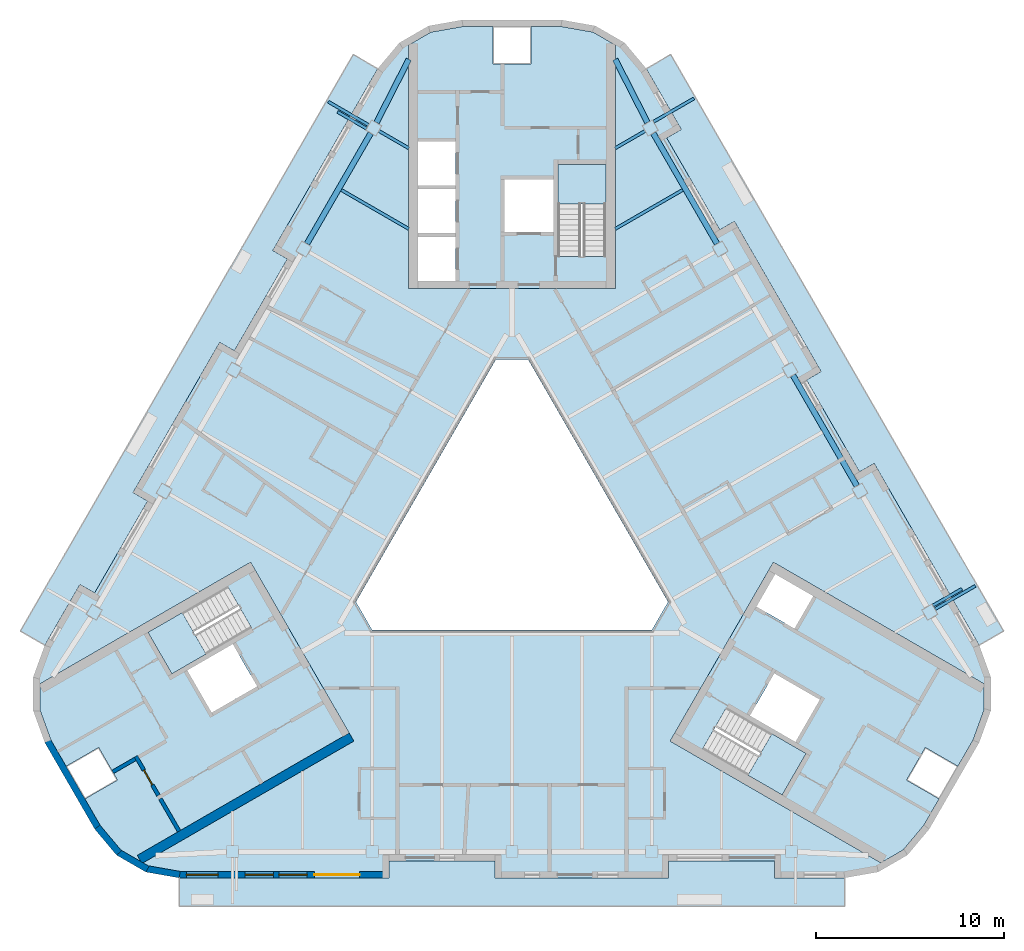
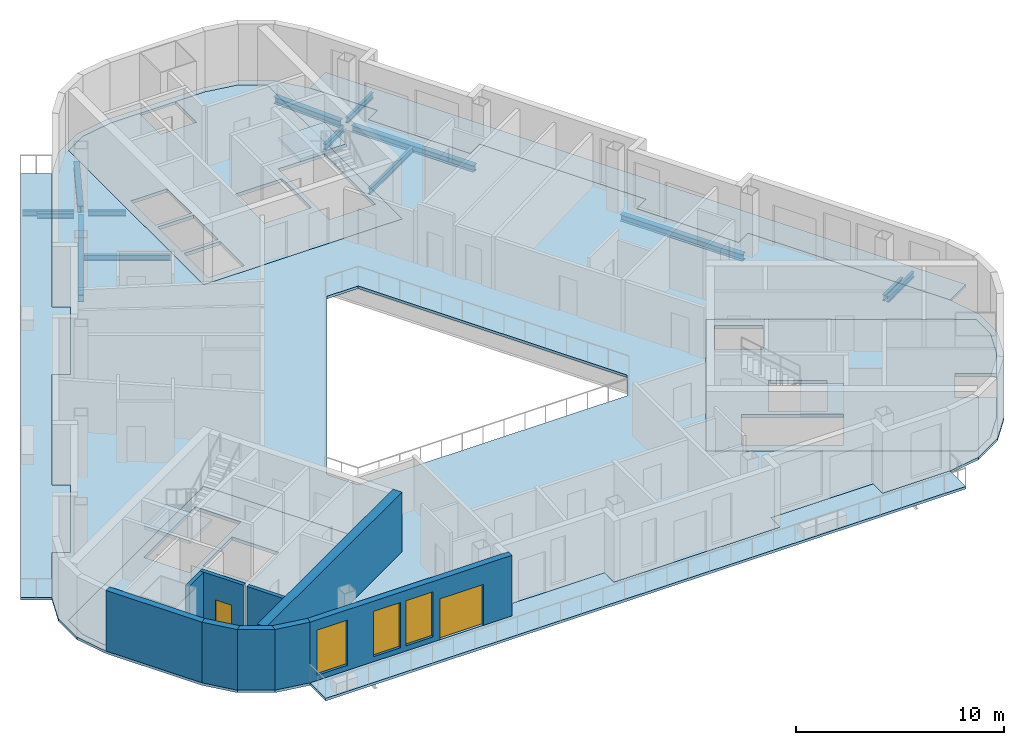
# One storey, part 2 of 13: 14 beams, 10 slabs, 9 walls, 3 windows, 2 doors, 5 openings, 3 elements without a shape of their own.
"""IFC4 building model written with IfcOpenShell, lengths in metres."""

from ifc_helpers import new_model, si_unit, direction, frame, frame_2d, origin, origin_2d, place, context, subcontext, project, spatial, polyline, rectangle, i_section, outline, extrude, material, layer, layer_set, material_profile, profile_set, type_object, element, fill, aggregate, save


model = new_model("IFC4")

# Units and contexts
model_context = context("Model", 3, precision=1e-05, world=origin(), true_north=direction((0.0, 1.0)))
body_context = subcontext(model_context, "Body", "Model", "MODEL_VIEW")
ifc_project = project(units=[si_unit("LENGTHUNIT", "METRE"), si_unit("AREAUNIT", "SQUARE_METRE"), si_unit("VOLUMEUNIT", "CUBIC_METRE"), si_unit("PLANEANGLEUNIT", "RADIAN"), si_unit("MASSUNIT", "GRAM", prefix="KILO")], contexts=[model_context])

# Site, building, storey
site_placement = place(None, origin())
site = spatial("IfcSite", under=ifc_project, at=site_placement, CompositionType="ELEMENT")
building_placement = place(site_placement, origin())
building = spatial("IfcBuilding", under=site, at=building_placement, Name="Apuvela Tower Hotel", CompositionType="ELEMENT")
storey_placement = place(building_placement, frame((0.0, 0.0, 272.60009765625)))
storey = spatial("IfcBuildingStorey", under=building, at=storey_placement, Name="L67", CompositionType="ELEMENT", Elevation=272.60009765625)

# Beams
ifc_material_1 = material(Name="Steel S355", Category="steel")
ifc_material_profile_1 = material_profile(ifc_material_1, i_section(OverallWidth=0.159912109375, OverallDepth=0.330078125, WebThickness=0.007568359375, FlangeThickness=0.011474609375, at=origin_2d()), Name="IPE 330")
ifc_profile_set_1 = profile_set([ifc_material_profile_1], Name="Steel S355")
beam_type_1 = type_object("IfcBeamType", Name="ENV-BALCONY-BEAM-IPE330", PredefinedType="BEAM", material=ifc_profile_set_1)
beam_1_placement = place(storey_placement, frame((22.530517578125, -4.18212890625, -0.315185546875), z_axis=(0.866006523861, 0.500032699561, 0.0), x_axis=(-0.500032699561, 0.866006523861, 0.0)))
element("IfcBeam", 1, at=beam_1_placement, inside=storey, type_object=beam_type_1, Name="Balcony cantilever beam NE1 L67", PredefinedType="BEAM", context=body_context, shape_type="SweptSolid", body=[
    extrude(i_section(OverallWidth=0.159912109375, OverallDepth=0.330078125, WebThickness=0.007568359375, FlangeThickness=0.011474609375, at=origin_2d()), origin(), (0.0, 0.0, 1.0), 2.474853515625),
])
beam_2_placement = place(storey_placement, frame((22.42041015625, -3.99169921875, -0.315185546875), z_axis=(0.866025242659, 0.500000279077, 0.0), x_axis=(-0.500000279077, 0.866025242659, 0.0)))
element("IfcBeam", 2, at=beam_2_placement, inside=storey, type_object=beam_type_1, Name="Balcony cantilever beam NE2 L67", PredefinedType="BEAM", context=body_context, shape_type="SweptSolid", body=[
    extrude(i_section(OverallWidth=0.159912109375, OverallDepth=0.330078125, WebThickness=0.007568359375, FlangeThickness=0.011474609375, at=origin_2d()), origin(), (0.0, 0.0, 1.0), 1.77490234375),
])
beam_3_placement = place(storey_placement, frame((7.543212890625, 21.776123046875, -0.315185546875), z_axis=(0.866031185235, 0.4999899861, 0.0), x_axis=(-0.4999899861, 0.866031185235, 0.0)))
element("IfcBeam", 3, at=beam_3_placement, inside=storey, type_object=beam_type_1, Name="Balcony cantilever beam NE3 L67", PredefinedType="BEAM", context=body_context, shape_type="SweptSolid", body=[
    extrude(i_section(OverallWidth=0.159912109375, OverallDepth=0.330078125, WebThickness=0.007568359375, FlangeThickness=0.011474609375, at=origin_2d()), origin(), (0.0, 0.0, 1.0), 2.47509765625),
])
beam_4_placement = place(storey_placement, frame((-7.643310546875, 21.60302734375, -0.315185546875), z_axis=(-0.866006523861, 0.500032699561, 0.0), x_axis=(-0.500032699561, -0.866006523861, 0.0)))
element("IfcBeam", 4, at=beam_4_placement, inside=storey, type_object=beam_type_1, Name="Balcony cantilever beam NW1 L67", PredefinedType="BEAM", context=body_context, shape_type="SweptSolid", body=[
    extrude(i_section(OverallWidth=0.159912109375, OverallDepth=0.330078125, WebThickness=0.007568359375, FlangeThickness=0.011474609375, at=origin_2d()), origin(), (0.0, 0.0, 1.0), 2.474853515625),
])
beam_5_placement = place(storey_placement, frame((-7.75341796875, 21.41259765625, -0.315185546875), z_axis=(-0.866025242659, 0.500000279077, 0.0), x_axis=(-0.500000279077, -0.866025242659, 0.0)))
element("IfcBeam", 5, at=beam_5_placement, inside=storey, type_object=beam_type_1, Name="Balcony cantilever beam NW2 L67", PredefinedType="BEAM", context=body_context, shape_type="SweptSolid", body=[
    extrude(i_section(OverallWidth=0.159912109375, OverallDepth=0.330078125, WebThickness=0.007568359375, FlangeThickness=0.011474609375, at=origin_2d()), origin(), (0.0, 0.0, 1.0), 1.77490234375),
])
ifc_material_profile_2 = material_profile(ifc_material_1, i_section(OverallWidth=0.159912109375, OverallDepth=0.330078125, WebThickness=0.007568359375, FlangeThickness=0.011474609375, at=origin_2d()), Name="IPE 330")
ifc_profile_set_2 = profile_set([ifc_material_profile_2], Name="Steel S355")
beam_type_2 = type_object("IfcBeamType", Name="STR-B floor beam IPE 330", PredefinedType="BEAM", material=ifc_profile_set_2)
beam_6_placement = place(storey_placement, frame((9.0927734375, 18.142333984375, -0.315185546875), z_axis=(-0.866032706045, -0.4999873519, 0.0), x_axis=(0.4999873519, -0.866032706045, 0.0)))
element("IfcBeam", 6, at=beam_6_placement, inside=storey, type_object=beam_type_2, Name="Floor beam B1 NE8", PredefinedType="BEAM", context=body_context, shape_type="SweptSolid", body=[
    extrude(i_section(OverallWidth=0.159912109375, OverallDepth=0.330078125, WebThickness=0.007568359375, FlangeThickness=0.011474609375, at=origin_2d()), origin(), (0.0, 0.0, 1.0), 4.1484375),
])
for number, where, z_axis, x_axis, name in (
    (7, (7.080322265625, 21.278076171875, -0.315185546875), (-0.865978377894, -0.500081442387, 0.0), (0.500081442387, -0.865978377894, 0.0), "Floor beam B1 NE9"),
    (8, (-7.080322265625, 21.278076171875, -0.315185546875), (0.865978377894, -0.500081442387, 0.0), (0.500081442387, 0.865978377894, 0.0), "Floor beam B1 NW1"),
):
    element("IfcBeam", number, at=place(storey_placement, frame(where, z_axis=z_axis, x_axis=x_axis)), inside=storey, type_object=beam_type_2, Name=name, PredefinedType="BEAM", context=body_context, shape_type="SweptSolid", body=[
        extrude(i_section(OverallWidth=0.159912109375, OverallDepth=0.330078125, WebThickness=0.007568359375, FlangeThickness=0.011474609375, at=origin_2d()), origin(), (0.0, 0.0, 1.0), 1.824951171875),
    ])
beam_7_placement = place(storey_placement, frame((-9.0927734375, 18.142333984375, -0.315185546875), z_axis=(0.866032706045, -0.4999873519, 0.0), x_axis=(0.4999873519, 0.866032706045, 0.0)))
element("IfcBeam", 9, at=beam_7_placement, inside=storey, type_object=beam_type_2, Name="Floor beam B1 NW2", PredefinedType="BEAM", context=body_context, shape_type="SweptSolid", body=[
    extrude(i_section(OverallWidth=0.159912109375, OverallDepth=0.330078125, WebThickness=0.007568359375, FlangeThickness=0.011474609375, at=origin_2d()), origin(), (0.0, 0.0, 1.0), 4.1484375),
])
ifc_material_profile_3 = material_profile(ifc_material_1, i_section(OverallWidth=0.300048828125, OverallDepth=0.389892578125, WebThickness=0.010986328125, FlangeThickness=0.01904296875, at=origin_2d()), Name="HE 400 A")
ifc_profile_set_3 = profile_set([ifc_material_profile_3], Name="Steel S355")
beam_type_3 = type_object("IfcBeamType", Name="STR-SB spandrel beam HE 400 A", PredefinedType="SPANDREL", material=ifc_profile_set_3)
for number, where, z_axis, x_axis, name in (
    (10, (18.36474609375, 2.383056640625, -0.34521484375), (-0.499984795077, 0.866034182173, 0.0), (-0.866034182173, -0.499984795077, 0.0), "Spandrel beam SB4 NE2"),
    (11, (10.921142578125, 15.275634765625, -0.34521484375), (-0.499984795077, 0.866034182173, 0.0), (-0.866034182173, -0.499984795077, 0.0), "Spandrel beam SB4 NE4"),
    (12, (-7.5244140625, 21.1591796875, -0.34521484375), (-0.499984795077, -0.866034182173, 0.0), (0.866034182173, -0.499984795077, 0.0), "Spandrel beam SB4 NW1"),
):
    element("IfcBeam", number, at=place(storey_placement, frame(where, z_axis=z_axis, x_axis=x_axis)), inside=storey, type_object=beam_type_3, Name=name, PredefinedType="SPANDREL", context=body_context, shape_type="SweptSolid", body=[
        extrude(i_section(OverallWidth=0.300048828125, OverallDepth=0.389892578125, WebThickness=0.010986328125, FlangeThickness=0.01904296875, at=origin_2d()), origin(), (0.0, 0.0, 1.0), 6.793701171875),
    ])
for number, where, z_axis, x_axis, name in (
    (13, (7.214111328125, 21.73046875, -0.34521484375), (-0.454212617882, 0.890893314464, 0.0), (-0.890893314464, -0.454212617882, 0.0), "Spandrel beam SB4 NE5-N"),
    (14, (-7.214111328125, 21.73046875, -0.34521484375), (0.454212617882, 0.890893314464, 0.0), (-0.890893314464, 0.454212617882, 0.0), "Spandrel beam SB4 NW1-N"),
):
    element("IfcBeam", number, at=place(storey_placement, frame(where, z_axis=z_axis, x_axis=x_axis)), inside=storey, type_object=beam_type_3, Name=name, PredefinedType="SPANDREL", context=body_context, shape_type="SweptSolid", body=[
        extrude(i_section(OverallWidth=0.300048828125, OverallDepth=0.389892578125, WebThickness=0.010986328125, FlangeThickness=0.01904296875, at=origin_2d()), origin(), (0.0, 0.0, 1.0), 3.77392578125),
    ])

# Slabs
ifc_material_2 = material(Name="Concrete C50/60", Category="concrete")
ifc_layer_1 = layer(ifc_material_2, 0.199951171875)
ifc_layer_set_1 = layer_set([ifc_layer_1], Name="COR-FLOOR-200")
slab_type_1 = type_object("IfcSlabType", Name="COR-FLOOR-200", PredefinedType="FLOOR", material=ifc_layer_set_1)
slab_1_placement = place(storey_placement, frame((0.0, 0.0, -0.2001953125)))
element("IfcSlab", 15, at=slab_1_placement, inside=storey, type_object=slab_type_1, Name="Core floor N", PredefinedType="FLOOR", context=body_context, shape_type="SweptSolid", body=[
    extrude(outline(polyline([(5.5, 25.86279296875), (4.31640625, 26.5458984375), (2.635009765625, 26.842529296875), (1.0, 26.842529296875), (1.0, 24.842529296875), (-1.0, 24.842529296875), (-1.0, 26.842529296875), (-2.635009765625, 26.842529296875), (-4.31640625, 26.5458984375), (-5.5, 25.86279296875), (-5.5, 12.89990234375), (5.5, 12.89990234375), (5.5, 25.86279296875)]), holes=[polyline([(-3.0, 13.300048828125), (-5.0, 13.300048828125), (-5.0, 15.639892578125), (-3.0, 15.639892578125), (-3.0, 13.300048828125)]), polyline([(-3.0, 15.840087890625), (-5.0, 15.840087890625), (-5.0, 18.179931640625), (-3.0, 18.179931640625), (-3.0, 15.840087890625)]), polyline([(5.0, 14.60595703125), (2.449951171875, 14.60595703125), (2.449951171875, 19.5), (5.0, 19.5), (5.0, 14.60595703125)]), polyline([(2.199951171875, 18.699951171875), (2.199951171875, 15.89990234375), (-0.39990234375, 15.89990234375), (-0.39990234375, 18.699951171875), (2.199951171875, 18.699951171875)]), polyline([(-3.0, 20.719970703125), (-3.0, 18.3798828125), (-5.0, 18.3798828125), (-5.0, 20.719970703125), (-3.0, 20.719970703125)])]), origin(), (0.0, 0.0, 1.0), 0.2001953125),
])
slab_2_placement = place(storey_placement, frame((0.0, 0.0, -0.2001953125)))
element("IfcSlab", 16, at=slab_2_placement, inside=storey, type_object=slab_type_1, Name="Core floor SW", PredefinedType="FLOOR", context=body_context, shape_type="SweptSolid", body=[
    extrude(outline(polyline([(-25.147705078125, -8.168212890625), (-25.147705078125, -9.534912109375), (-24.563720703125, -11.139404296875), (-23.746337890625, -12.55517578125), (-22.014404296875, -11.55517578125), (-21.014404296875, -13.287353515625), (-22.746337890625, -14.287353515625), (-21.9287109375, -15.703125), (-20.831298828125, -17.01123046875), (-19.647705078125, -17.694580078125), (-8.421630859375, -11.213134765625), (-13.921630859375, -1.68701171875), (-25.147705078125, -8.168212890625)]), holes=[polyline([(-13.874267578125, -5.18115234375), (-18.112548828125, -7.628173828125), (-19.387451171875, -5.419921875), (-15.149169921875, -2.972900390625), (-13.874267578125, -5.18115234375)]), polyline([(-13.56982421875, -8.29638671875), (-15.99462890625, -9.6962890625), (-17.294677734375, -7.444580078125), (-14.869873046875, -6.044677734375), (-13.56982421875, -8.29638671875)])]), origin(), (0.0, 0.0, 1.0), 0.2001953125),
])
slab_3_placement = place(storey_placement, frame((0.0, 0.0, -0.2001953125)))
element("IfcSlab", 17, at=slab_3_placement, inside=storey, type_object=slab_type_1, Name="Core floor SE", PredefinedType="FLOOR", context=body_context, shape_type="SweptSolid", body=[
    extrude(outline(polyline([(19.647705078125, -17.694580078125), (20.831298828125, -17.01123046875), (21.9287109375, -15.703125), (22.746337890625, -14.287353515625), (21.014404296875, -13.287353515625), (22.014404296875, -11.55517578125), (23.746337890625, -12.55517578125), (24.563720703125, -11.139404296875), (25.147705078125, -9.534912109375), (25.147705078125, -8.168212890625), (13.921630859375, -1.68701171875), (8.421630859375, -11.213134765625), (19.647705078125, -17.694580078125)]), holes=[polyline([(14.01806640625, -2.31982421875), (16.044677734375, -3.489990234375), (15.044677734375, -5.221923828125), (13.01806640625, -4.052001953125), (14.01806640625, -2.31982421875)]), polyline([(10.149169921875, -11.633056640625), (11.42431640625, -9.4248046875), (15.66259765625, -11.871826171875), (14.387451171875, -14.080078125), (10.149169921875, -11.633056640625)]), polyline([(12.669921875, -9.855224609375), (13.9697265625, -7.603515625), (16.394775390625, -9.003662109375), (15.0947265625, -11.25537109375), (12.669921875, -9.855224609375)])]), origin(), (0.0, 0.0, 1.0), 0.2001953125),
])

# Stair, slab
stair_type = type_object("IfcStairType", Name="COR-STAIR-22R", PredefinedType="HALF_TURN_STAIR", material=ifc_material_2)
stair_1_placement = place(storey_placement, origin())
stair_1 = element("IfcStair", 18, at=stair_1_placement, inside=storey, type_object=stair_type, Name="L67 Exit stair ST1", PredefinedType="HALF_TURN_STAIR")
ifc_layer_2 = layer(ifc_material_2, 0.199951171875)
ifc_layer_set_2 = layer_set([ifc_layer_2], Name="COR-LANDING-200")
slab_type_2 = type_object("IfcSlabType", Name="COR-LANDING-200", PredefinedType="LANDING", material=ifc_layer_set_2)
slab_4_placement = place(storey_placement, frame((0.0, 0.0, 1.64990234375)))
slab_4 = element("IfcSlab", 19, at=slab_4_placement, type_object=slab_type_2, Name="ST1 landing 1", PredefinedType="LANDING", context=body_context, shape_type="SweptSolid", body=[
    extrude(outline(polyline([(5.0, 17.39404296875), (5.0, 19.5), (2.449951171875, 19.5), (2.449951171875, 17.39404296875), (5.0, 17.39404296875)])), origin(), (0.0, 0.0, 1.0), 0.199951171875),
])
aggregate(stair_1, [slab_4])

stair_2_placement = place(storey_placement, origin())
stair_2 = element("IfcStair", 20, at=stair_2_placement, inside=storey, type_object=stair_type, Name="L67 Exit stair ST2", PredefinedType="HALF_TURN_STAIR")
slab_5_placement = place(storey_placement, frame((0.0, 0.0, 1.64990234375)))
slab_5 = element("IfcSlab", 21, at=slab_5_placement, type_object=slab_type_2, Name="ST2 landing 1", PredefinedType="LANDING", context=body_context, shape_type="SweptSolid", body=[
    extrude(outline(polyline([(-17.563720703125, -4.366943359375), (-19.387451171875, -5.419921875), (-18.112548828125, -7.628173828125), (-16.28857421875, -6.5751953125), (-17.563720703125, -4.366943359375)])), origin(), (0.0, 0.0, 1.0), 0.199951171875),
])
aggregate(stair_2, [slab_5])

stair_3_placement = place(storey_placement, origin())
stair_3 = element("IfcStair", 22, at=stair_3_placement, inside=storey, type_object=stair_type, Name="L67 Exit stair ST3", PredefinedType="HALF_TURN_STAIR")
slab_6_placement = place(storey_placement, frame((0.0, 0.0, 1.64990234375)))
slab_6 = element("IfcSlab", 23, at=slab_6_placement, type_object=slab_type_2, Name="ST3 landing 1", PredefinedType="LANDING", context=body_context, shape_type="SweptSolid", body=[
    extrude(outline(polyline([(12.563720703125, -13.027099609375), (14.387451171875, -14.080078125), (15.66259765625, -11.871826171875), (13.838623046875, -10.81884765625), (12.563720703125, -13.027099609375)])), origin(), (0.0, 0.0, 1.0), 0.199951171875),
])
aggregate(stair_3, [slab_6])

# Slabs
ifc_material_3 = material(Name="Concrete C40/50, fair-faced", Category="concrete")
ifc_layer_3 = layer(ifc_material_3, 0.14990234375)
ifc_layer_set_3 = layer_set([ifc_layer_3], Name="ENV-BALCONY-150")
slab_type_3 = type_object("IfcSlabType", Name="ENV-BALCONY-150", PredefinedType="FLOOR", material=ifc_layer_set_3)
slab_7_placement = place(storey_placement, frame((0.0, 0.0, -0.150146484375)))
element("IfcSlab", 24, at=slab_7_placement, inside=storey, type_object=slab_type_3, Name="Balcony slab S L67", PredefinedType="FLOOR", context=body_context, shape_type="SweptSolid", body=[
    extrude(outline(polyline([(17.733642578125, -20.000732421875), (-17.733642578125, -20.000732421875), (-17.733642578125, -18.49072265625), (-6.548583984375, -18.49072265625), (-6.548583984375, -17.5908203125), (-0.89501953125, -17.5908203125), (-0.89501953125, -18.49072265625), (8.338623046875, -18.49072265625), (8.338623046875, -17.5908203125), (13.9921875, -17.5908203125), (13.9921875, -18.49072265625), (17.733642578125, -18.49072265625), (17.733642578125, -20.000732421875)])), origin(), (0.0, 0.0, 1.0), 0.150146484375),
])
slab_8_placement = place(storey_placement, frame((0.0, 0.0, -0.150146484375)))
element("IfcSlab", 25, at=slab_8_placement, inside=storey, type_object=slab_type_3, Name="Balcony slab NE L67", PredefinedType="FLOOR", context=body_context, shape_type="SweptSolid", body=[
    extrude(outline(polyline([(16.4609375, 8.47021484375), (11.84423828125, 16.466796875), (11.064697265625, 16.016845703125), (8.238037109375, 20.912841796875), (9.017578125, 21.36279296875), (7.146728515625, 24.603271484375), (8.454345703125, 25.358154296875), (26.18798828125, -5.357421875), (24.88037109375, -6.1123046875), (19.287841796875, 3.57421875), (18.50830078125, 3.124267578125), (15.681640625, 8.020263671875), (16.4609375, 8.47021484375)])), origin(), (0.0, 0.0, 1.0), 0.150146484375),
])
slab_9_placement = place(storey_placement, frame((0.0, 0.0, -0.150146484375)))
element("IfcSlab", 26, at=slab_9_placement, inside=storey, type_object=slab_type_3, Name="Balcony slab NW L67", PredefinedType="FLOOR", context=body_context, shape_type="SweptSolid", body=[
    extrude(outline(polyline([(-26.18798828125, -5.357421875), (-8.454345703125, 25.3583984375), (-7.146728515625, 24.603271484375), (-12.7392578125, 14.91650390625), (-11.959716796875, 14.466552734375), (-14.78662109375, 9.570556640625), (-15.56591796875, 10.0205078125), (-20.182861328125, 2.02392578125), (-19.4033203125, 1.573974609375), (-22.22998046875, -3.322021484375), (-23.009521484375, -2.8720703125), (-24.88037109375, -6.1123046875), (-26.18798828125, -5.357421875)])), origin(), (0.0, 0.0, 1.0), 0.150146484375),
])
ifc_material_4 = material(Name="Concrete C35/45", Category="concrete")
ifc_layer_4 = layer(ifc_material_4, 0.14990234375)
ifc_layer_set_4 = layer_set([ifc_layer_4], Name="STR-SLAB 150 floor Concrete C35/45")
slab_type_4 = type_object("IfcSlabType", Name="STR-SLAB 150 floor Concrete C35/45", PredefinedType="FLOOR", material=ifc_layer_set_4)
slab_10_placement = place(storey_placement, frame((0.0, 0.0, -0.150146484375)))
element("IfcSlab", 27, at=slab_10_placement, inside=storey, type_object=slab_type_4, Name="Floor slab S4 L67", PredefinedType="FLOOR", context=body_context, shape_type="SweptSolid", body=[
    extrude(outline(polyline([(-5.99658203125, 25.97998046875), (-4.43798828125, 26.8798828125), (-2.66552734375, 27.1923828125), (2.66552734375, 27.1923828125), (4.43798828125, 26.8798828125), (5.99658203125, 25.97998046875), (7.153564453125, 24.601318359375), (9.0244140625, 21.361083984375), (8.244873046875, 20.9111328125), (11.066650390625, 16.023681640625), (11.84619140625, 16.4736328125), (16.468017578125, 8.468505859375), (15.6884765625, 8.0185546875), (18.51025390625, 3.131103515625), (19.28955078125, 3.5810546875), (24.882080078125, -6.105712890625), (25.497802734375, -7.796875), (25.497802734375, -9.5966796875), (24.882080078125, -11.287841796875), (22.216552734375, -15.90478515625), (21.059814453125, -17.283447265625), (19.501220703125, -18.183349609375), (17.728759765625, -18.495849609375), (13.987060546875, -18.495849609375), (13.987060546875, -17.595703125), (8.343505859375, -17.595703125), (8.343505859375, -18.495849609375), (-0.89990234375, -18.495849609375), (-0.89990234375, -17.595703125), (-6.54345703125, -17.595703125), (-6.54345703125, -18.495849609375), (-17.728759765625, -18.495849609375), (-19.501220703125, -18.183349609375), (-21.059814453125, -17.283447265625), (-22.216552734375, -15.90478515625), (-24.882080078125, -11.287841796875), (-25.497802734375, -9.5966796875), (-25.497802734375, -7.796875), (-24.882080078125, -6.105712890625), (-23.011474609375, -2.865234375), (-22.23193359375, -3.315185546875), (-19.41015625, 1.572021484375), (-20.189697265625, 2.022216796875), (-15.56787109375, 10.02734375), (-14.788330078125, 9.577392578125), (-11.966796875, 14.46484375), (-12.74609375, 14.914794921875), (-7.153564453125, 24.601318359375), (-5.99658203125, 25.97998046875)]), holes=[polyline([(0.865966796875, 9.10009765625), (-0.865966796875, 9.10009765625), (-8.313720703125, -3.800048828125), (-7.44775390625, -5.300048828125), (7.44775390625, -5.300048828125), (8.313720703125, -3.800048828125), (0.865966796875, 9.10009765625)]), polyline([(-5.5, 12.89990234375), (-5.5, 25.86279296875), (-4.31640625, 26.5458984375), (-2.635009765625, 26.842529296875), (2.635009765625, 26.842529296875), (4.31640625, 26.5458984375), (5.5, 25.86279296875), (5.5, 12.89990234375), (-5.5, 12.89990234375)]), polyline([(-8.421630859375, -11.213134765625), (-19.647705078125, -17.694580078125), (-20.831298828125, -17.01123046875), (-21.9287109375, -15.703125), (-24.563720703125, -11.139404296875), (-25.147705078125, -9.534912109375), (-25.147705078125, -8.168212890625), (-13.921630859375, -1.68701171875), (-8.421630859375, -11.213134765625)]), polyline([(13.921630859375, -1.68701171875), (25.147705078125, -8.168212890625), (25.147705078125, -9.534912109375), (24.563720703125, -11.139404296875), (21.9287109375, -15.703125), (20.831298828125, -17.01123046875), (19.647705078125, -17.694580078125), (8.421630859375, -11.213134765625), (13.921630859375, -1.68701171875)])]), origin(), (0.0, 0.0, 1.0), 0.150146484375),
])

# Wall
ifc_layer_5 = layer(ifc_material_2, 0.5)
ifc_layer_set_5 = layer_set([ifc_layer_5], Name="COR-WALL-CORE-500")
wall_type_1 = type_object("IfcWallType", Name="COR-WALL-CORE-500", PredefinedType="SHEAR", material=ifc_layer_set_5)
wall_1_placement = place(storey_placement, frame((-8.546630859375, -10.99658203125, 0.0), z_axis=(0.0, 0.0, 1.0), x_axis=(-0.866030218785, -0.499991660082, 0.0)))
element("IfcWall", 28, at=wall_1_placement, inside=storey, type_object=wall_type_1, Name="Core wall SW", PredefinedType="SHEAR", context=body_context, shape_type="SweptSolid", body=[
    extrude(rectangle(XDim=13.031494140625, YDim=0.5, at=frame_2d((6.515625, 0.0))), origin(), (0.0, 0.0, 1.0), 3.5),
])

# Wall, opening, door
ifc_layer_6 = layer(ifc_material_2, 0.199951171875)
ifc_layer_set_6 = layer_set([ifc_layer_6], Name="COR-WALL-SHAFT-200")
wall_type_2 = type_object("IfcWallType", Name="COR-WALL-SHAFT-200", PredefinedType="SHEAR", material=ifc_layer_set_6)
wall_2_placement = place(storey_placement, frame((-20.030517578125, -12.0263671875, 0.0), z_axis=(0.0, 0.0, 1.0), x_axis=(0.500033551112, -0.866006032174, 0.0)))
wall_2 = element("IfcWall", 29, at=wall_2_placement, inside=storey, type_object=wall_type_2, Name="Shaft wall SW", PredefinedType="SHEAR", context=body_context, shape_type="SweptSolid", body=[
    extrude(rectangle(XDim=2.400146484375, YDim=0.199951171875, at=frame_2d((1.2001953125, 0.0))), origin(), (0.0, 0.0, 1.0), 3.5),
])
opening_1_placement = place(wall_2_placement, frame((0.85009765625, 0.0, 0.0)))
opening_1 = element("IfcOpeningElement", 30, at=opening_1_placement, cuts=wall_2, Name="Opening W-REP", PredefinedType="OPENING", context=body_context, shape_type="SweptSolid", body=[
    extrude(rectangle(XDim=0.89990234375, YDim=2.10009765625, at=frame_2d((0.449951171875, 1.050048828125))), frame((0.0, 0.10986328125, 0.0), z_axis=(0.0, -1.0, 0.0), x_axis=(1.0, 0.0, 0.0)), (0.0, 0.0, 1.0), 0.219970703125),
])
ifc_material_5 = material(Name="Steel fire door, powder coated", Category="steel")
door_type_1 = type_object("IfcDoorType", Name="COR-DR-900", OperationType="NOTDEFINED", PredefinedType="DOOR", material=ifc_material_5)
door_1_placement = place(opening_1_placement, frame((0.89990234375, 0.0, 0.0), z_axis=(0.0, 0.0, 1.0), x_axis=(-1.0, 0.0, 0.0)))
door_1 = element("IfcDoor", 31, at=door_1_placement, inside=storey, type_object=door_type_1, Name="Store door W-REP", OperationType="SINGLE_SWING_LEFT", OverallHeight=2.10009765625, OverallWidth=0.89990234375, PredefinedType="DOOR", context=body_context, shape_type="SweptSolid", body=[
    extrude(rectangle(XDim=0.89990234375, YDim=2.10009765625, at=frame_2d((0.449951171875, 1.050048828125))), frame((0.0, 0.02490234375, 0.0), z_axis=(0.0, -1.0, 0.0), x_axis=(1.0, 0.0, 0.0)), (0.0, 0.0, 1.0), 0.050048828125),
])
fill(opening_1, door_1)

# Walls
wall_3_placement = place(storey_placement, frame((-18.73046875, -14.278076171875, 0.0), z_axis=(0.0, 0.0, 1.0), x_axis=(0.50002537861, -0.866010750942, 0.0)))
element("IfcWall", 32, at=wall_3_placement, inside=storey, type_object=wall_type_2, Name="Shaft wall SW", PredefinedType="SHEAR", context=body_context, shape_type="SweptSolid", body=[
    extrude(rectangle(XDim=2.0, YDim=0.199951171875, at=frame_2d((1.0, 0.0))), origin(), (0.0, 0.0, 1.0), 3.5),
])
wall_4_placement = place(storey_placement, frame((-20.06689453125, -12.1630859375, 0.0), z_axis=(0.0, 0.0, 1.0), x_axis=(-0.866094443108, -0.499880401313, 0.0)))
element("IfcWall", 33, at=wall_4_placement, inside=storey, type_object=wall_type_2, Name="Shaft wall SW", PredefinedType="SHEAR", context=body_context, shape_type="SweptSolid", body=[
    extrude(rectangle(XDim=1.382568359375, YDim=0.199951171875, at=frame_2d((0.69140625, 0.0))), origin(), (0.0, 0.0, 1.0), 3.5),
])
ifc_material_6 = material(Name="Concrete C40/50, dark pigmented precast panel", Category="concrete")
ifc_layer_7 = layer(ifc_material_6, 0.35009765625)
ifc_layer_set_7 = layer_set([ifc_layer_7], Name="ENV-WALL-350")
wall_type_3 = type_object("IfcWallType", Name="ENV-WALL-350", PredefinedType="SOLIDWALL", material=ifc_layer_set_7)
wall_5_placement = place(storey_placement, frame((-24.730712890625, -11.2001953125, 0.0), z_axis=(0.0, 0.0, 1.0), x_axis=(0.500025039717, -0.866010946615, 0.0)))
element("IfcWall", 34, at=wall_5_placement, inside=storey, type_object=wall_type_3, Name="External wall L67-13", PredefinedType="SOLIDWALL", context=body_context, shape_type="SweptSolid", body=[
    extrude(rectangle(XDim=5.331298828125, YDim=0.35009765625, at=frame_2d((2.66552734375, 0.0))), origin(), (0.0, 0.0, 1.0), 3.5498046875),
])
wall_6_placement = place(storey_placement, frame((-22.08251953125, -15.792236328125, 0.0), z_axis=(0.0, 0.0, 1.0), x_axis=(0.642756114672, -0.766070869471, 0.0)))
element("IfcWall", 35, at=wall_6_placement, inside=storey, type_object=wall_type_3, Name="External wall L67-14", PredefinedType="SOLIDWALL", context=body_context, shape_type="SweptSolid", body=[
    extrude(rectangle(XDim=1.799560546875, YDim=0.35009765625, at=frame_2d((0.89990234375, 0.0))), origin(), (0.0, 0.0, 1.0), 3.5498046875),
])
wall_7_placement = place(storey_placement, frame((-20.972412109375, -17.1318359375, 0.0), z_axis=(0.0, 0.0, 1.0), x_axis=(0.866047807691, -0.499961193289, 0.0)))
element("IfcWall", 36, at=wall_7_placement, inside=storey, type_object=wall_type_3, Name="External wall L67-15", PredefinedType="SOLIDWALL", context=body_context, shape_type="SweptSolid", body=[
    extrude(rectangle(XDim=1.800048828125, YDim=0.35009765625, at=frame_2d((0.89990234375, 0.0))), origin(), (0.0, 0.0, 1.0), 3.5498046875),
])
wall_8_placement = place(storey_placement, frame((-19.470703125, -18.010986328125, 0.0), z_axis=(0.0, 0.0, 1.0), x_axis=(0.984810858511, -0.173630564586, 0.0)))
element("IfcWall", 37, at=wall_8_placement, inside=storey, type_object=wall_type_3, Name="External wall L67-16", PredefinedType="SOLIDWALL", context=body_context, shape_type="SweptSolid", body=[
    extrude(rectangle(XDim=1.7998046875, YDim=0.35009765625, at=frame_2d((0.89990234375, 0.0))), origin(), (0.0, 0.0, 1.0), 3.5498046875),
])

# Wall, openings, door, windows
wall_9_placement = place(storey_placement, frame((-17.728759765625, -18.32080078125, 0.0), z_axis=(0.0, 0.0, 1.0), x_axis=(1.0, 0.0, 0.0)))
wall_9 = element("IfcWall", 38, at=wall_9_placement, inside=storey, type_object=wall_type_3, Name="External wall L67-17", PredefinedType="SOLIDWALL", context=body_context, shape_type="SweptSolid", body=[
    extrude(rectangle(XDim=11.185302734375, YDim=0.35009765625, at=frame_2d((5.5927734375, 0.0))), origin(), (0.0, 0.0, 1.0), 3.5498046875),
])
opening_2_placement = place(wall_9_placement, frame((0.380615234375, 0.0, 0.300048828125)))
opening_2 = element("IfcOpeningElement", 39, at=opening_2_placement, cuts=wall_9, Name="Opening WN17", PredefinedType="OPENING", context=body_context, shape_type="SweptSolid", body=[
    extrude(rectangle(XDim=1.699951171875, YDim=2.64990234375, at=frame_2d((0.85009765625, 1.324951171875))), frame((0.0, 0.18505859375, 0.0), z_axis=(0.0, -1.0, 0.0), x_axis=(1.0, 0.0, 0.0)), (0.0, 0.0, 1.0), 0.3701171875),
])
opening_3_placement = place(wall_9_placement, frame((7.210205078125, 0.0, 0.0)))
opening_3 = element("IfcOpeningElement", 40, at=opening_3_placement, cuts=wall_9, Name="Opening BD24", PredefinedType="OPENING", context=body_context, shape_type="SweptSolid", body=[
    extrude(rectangle(XDim=2.39990234375, YDim=2.39990234375, at=frame_2d((1.199951171875, 1.199951171875))), frame((0.0, 0.18505859375, 0.0), z_axis=(0.0, -1.0, 0.0), x_axis=(1.0, 0.0, 0.0)), (0.0, 0.0, 1.0), 0.3701171875),
])
opening_4_placement = place(wall_9_placement, frame((3.51611328125, 0.0, 0.300048828125)))
opening_4 = element("IfcOpeningElement", 41, at=opening_4_placement, cuts=wall_9, Name="Opening WN15", PredefinedType="OPENING", context=body_context, shape_type="SweptSolid", body=[
    extrude(rectangle(XDim=1.5, YDim=2.64990234375, at=frame_2d((0.75, 1.324951171875))), frame((0.0, 0.18505859375, 0.0), z_axis=(0.0, -1.0, 0.0), x_axis=(1.0, 0.0, 0.0)), (0.0, 0.0, 1.0), 0.3701171875),
])
opening_5_placement = place(wall_9_placement, frame((5.316162109375, 0.0, 0.300048828125)))
opening_5 = element("IfcOpeningElement", 42, at=opening_5_placement, cuts=wall_9, Name="Opening WN15", PredefinedType="OPENING", context=body_context, shape_type="SweptSolid", body=[
    extrude(rectangle(XDim=1.5, YDim=2.64990234375, at=frame_2d((0.75, 1.324951171875))), frame((0.0, 0.18505859375, 0.0), z_axis=(0.0, -1.0, 0.0), x_axis=(1.0, 0.0, 0.0)), (0.0, 0.0, 1.0), 0.3701171875),
])
ifc_material_7 = material(Name="Aluminium 6063-T6, dark bronze anodised frame with dark tinted laminated glass", Category="aluminium")
door_type_2 = type_object("IfcDoorType", Name="ENV-DOOR-BALCONY-2400x2400", OperationType="SLIDING_TO_LEFT", PredefinedType="DOOR", material=ifc_material_7)
door_2_placement = place(opening_3_placement, frame((2.39990234375, 0.0, 0.0), z_axis=(0.0, 0.0, 1.0), x_axis=(-1.0, 0.0, 0.0)))
door_2 = element("IfcDoor", 43, at=door_2_placement, inside=storey, type_object=door_type_2, Name="Balcony door BD24", OperationType="SLIDING_TO_LEFT", OverallHeight=2.39990234375, OverallWidth=2.39990234375, PredefinedType="DOOR", context=body_context, shape_type="SweptSolid", body=[
    extrude(rectangle(XDim=2.39990234375, YDim=2.39990234375, at=frame_2d((1.199951171875, 1.199951171875))), frame((0.0, 0.02490234375, 0.0), z_axis=(0.0, -1.0, 0.0), x_axis=(1.0, 0.0, 0.0)), (0.0, 0.0, 1.0), 0.050048828125),
])
fill(opening_3, door_2)
ifc_material_8 = material(Name="Glass, dark tinted laminated insulated glazing unit", Category="glass")
window_type_1 = type_object("IfcWindowType", Name="ENV-WIN-1500x2650", PartitioningType="SINGLE_PANEL", PredefinedType="WINDOW", material=ifc_material_8)
window_1_placement = place(opening_4_placement, origin())
window_1 = element("IfcWindow", 44, at=window_1_placement, inside=storey, type_object=window_type_1, Name="Window WN15", OverallHeight=2.64990234375, OverallWidth=1.5, PartitioningType="SINGLE_PANEL", PredefinedType="WINDOW", context=body_context, shape_type="SweptSolid", body=[
    extrude(rectangle(XDim=1.5, YDim=2.64990234375, at=frame_2d((0.75, 1.324951171875))), frame((0.0, 0.030029296875, 0.0), z_axis=(0.0, -1.0, 0.0), x_axis=(1.0, 0.0, 0.0)), (0.0, 0.0, 1.0), 0.06005859375),
])
fill(opening_4, window_1)
window_2_placement = place(opening_5_placement, origin())
window_2 = element("IfcWindow", 45, at=window_2_placement, inside=storey, type_object=window_type_1, Name="Window WN15", OverallHeight=2.64990234375, OverallWidth=1.5, PartitioningType="SINGLE_PANEL", PredefinedType="WINDOW", context=body_context, shape_type="SweptSolid", body=[
    extrude(rectangle(XDim=1.5, YDim=2.64990234375, at=frame_2d((0.75, 1.324951171875))), frame((0.0, 0.030029296875, 0.0), z_axis=(0.0, -1.0, 0.0), x_axis=(1.0, 0.0, 0.0)), (0.0, 0.0, 1.0), 0.06005859375),
])
fill(opening_5, window_2)
window_type_2 = type_object("IfcWindowType", Name="ENV-WIN-1700x2650", PartitioningType="SINGLE_PANEL", PredefinedType="WINDOW", material=ifc_material_8)
window_3_placement = place(opening_2_placement, origin())
window_3 = element("IfcWindow", 46, at=window_3_placement, inside=storey, type_object=window_type_2, Name="Window WN17", OverallHeight=2.64990234375, OverallWidth=1.699951171875, PartitioningType="SINGLE_PANEL", PredefinedType="WINDOW", context=body_context, shape_type="SweptSolid", body=[
    extrude(rectangle(XDim=1.699951171875, YDim=2.64990234375, at=frame_2d((0.85009765625, 1.324951171875))), frame((0.0, 0.030029296875, 0.0), z_axis=(0.0, -1.0, 0.0), x_axis=(1.0, 0.0, 0.0)), (0.0, 0.0, 1.0), 0.06005859375),
])
fill(opening_2, window_3)

save(model, "model.ifc")
